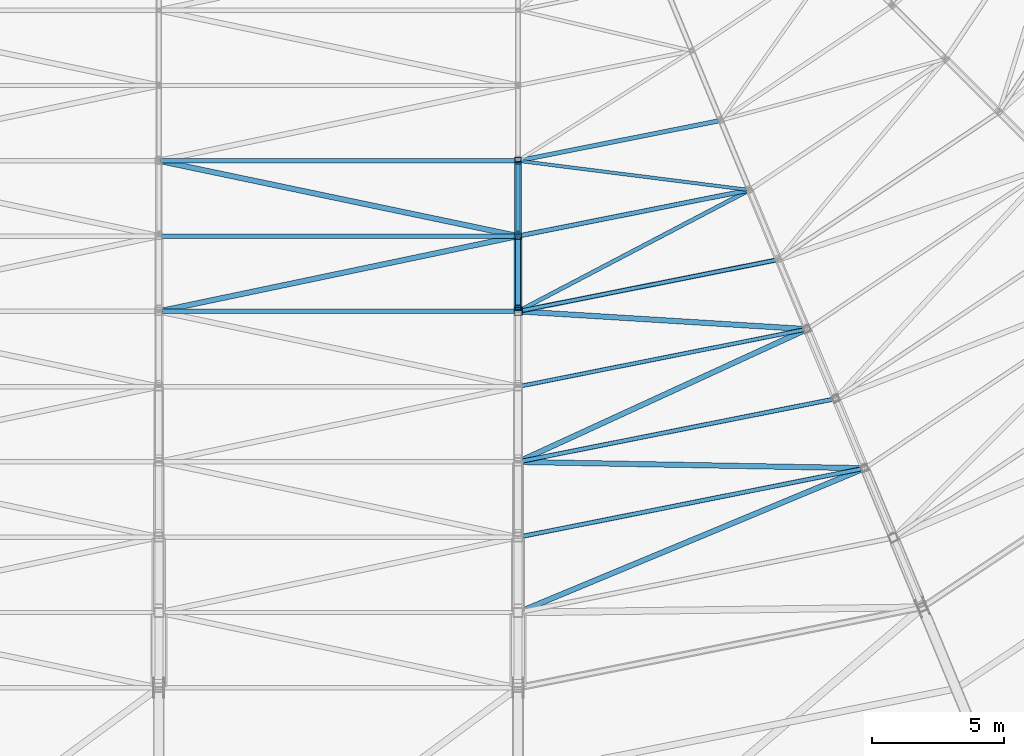
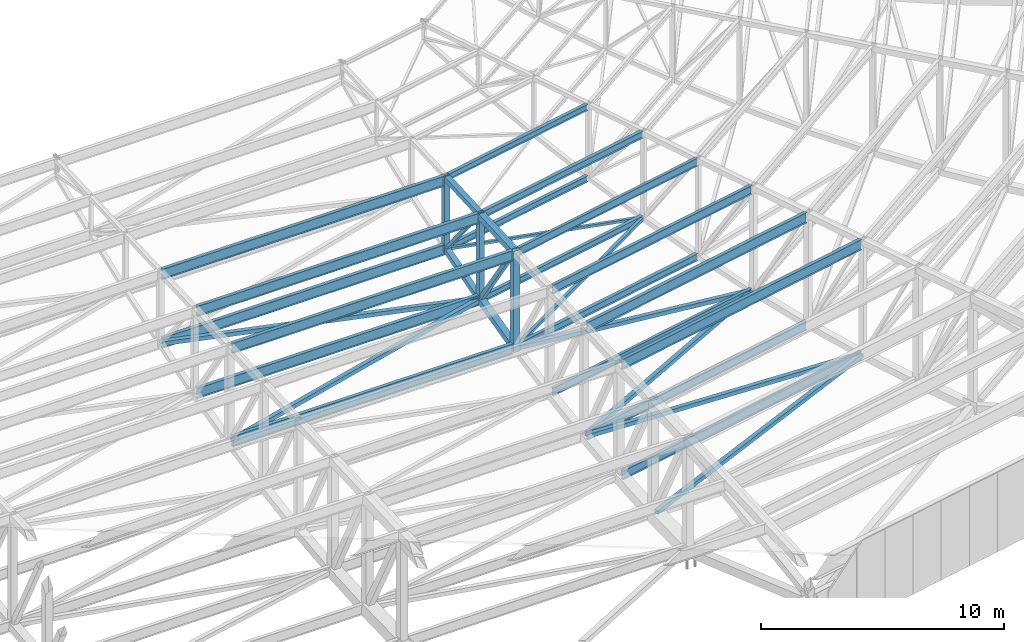
# One storey, part 24 of 278: 28 members, 7 beams.
"""IFC4 building model written with IfcOpenShell, lengths in metres."""

from ifc_helpers import new_model, si_unit, direction, frame, origin, origin_2d, place, context, subcontext, project, spatial, hollow_rectangle, i_section, extrude, material, material_profile, profile_set, type_object, element, save


model = new_model("IFC4")

# Units and contexts
model_context = context("Model", 3, precision=1e-05, world=origin(), true_north=direction((0.0, 1.0)))
body_context = subcontext(model_context, "Body", "Model", "MODEL_VIEW")
ifc_project = project(units=[si_unit("LENGTHUNIT", "METRE"), si_unit("AREAUNIT", "SQUARE_METRE"), si_unit("VOLUMEUNIT", "CUBIC_METRE"), si_unit("PLANEANGLEUNIT", "RADIAN"), si_unit("MASSUNIT", "GRAM", prefix="KILO")], contexts=[model_context])

# Site, building, storey
site_placement = place(None, origin())
site = spatial("IfcSite", under=ifc_project, at=site_placement, CompositionType="ELEMENT")
building_placement = place(site_placement, origin())
building = spatial("IfcBuilding", under=site, at=building_placement, Name="Ogive Plaza Stadium", CompositionType="ELEMENT")
storey_placement = place(building_placement, frame((0.0, 0.0, 29.0)))
storey = spatial("IfcBuildingStorey", under=building, at=storey_placement, Name="Roof", CompositionType="ELEMENT", Elevation=29.0)

# Members
ifc_material_1 = material(Name="Steel ASTM A500 Grade C", Category="steel")
ifc_material_profile_1 = material_profile(ifc_material_1, hollow_rectangle(XDim=0.126953125, YDim=0.126953125, WallThickness=0.005859375, at=origin_2d()), Name="HSS5X5X1/4")
ifc_profile_set_1 = profile_set([ifc_material_profile_1], Name="Steel ASTM A500 Grade C")
member_type_1 = type_object("IfcMemberType", Name="Roof plan brace HSS5X5X1/4", PredefinedType="BRACE", material=ifc_profile_set_1)
member_1_placement = place(storey_placement, frame((34.079833984375, -72.56005859375, 3.242431640625), z_axis=(0.987974166898, -0.124778646777, -0.091309007497), x_axis=(0.125302082787, 0.992118636076, 0.0)))
element("IfcMember", 1, at=member_1_placement, inside=storey, type_object=member_type_1, Name="ROOF BRACE B11 4", PredefinedType="BRACE", context=body_context, shape_type="SweptSolid", body=[
    extrude(hollow_rectangle(XDim=0.126953125, YDim=0.126953125, WallThickness=0.005859375, at=origin_2d()), origin(), (0.0, 0.0, 1.0), 8.665771484375),
])
ifc_material_2 = material(Name="Steel ASTM A500 Grade C", Category="steel")
ifc_material_profile_2 = material_profile(ifc_material_2, hollow_rectangle(XDim=0.15234375, YDim=0.15234375, WallThickness=0.005859375, at=origin_2d()), Name="HSS6X6X1/4")
ifc_profile_set_2 = profile_set([ifc_material_profile_2], Name="Steel ASTM A500 Grade C")
member_type_2 = type_object("IfcMemberType", Name="Roof plan brace HSS6X6X1/4", PredefinedType="BRACE", material=ifc_profile_set_2)
member_2_placement = place(storey_placement, frame((42.693603515625, -73.693359375, 2.434326171875), z_axis=(-0.883462841824, -0.463053945364, -0.071235179498), x_axis=(0.464233307962, -0.885712953377, 0.0)))
element("IfcMember", 2, at=member_2_placement, inside=storey, type_object=member_type_2, Name="ROOF BRACE B11 5", PredefinedType="BRACE", context=body_context, shape_type="SweptSolid", body=[
    extrude(hollow_rectangle(XDim=0.15234375, YDim=0.15234375, WallThickness=0.005859375, at=origin_2d()), origin(), (0.0, 0.0, 1.0), 9.657958984375),
])
ifc_material_3 = material(Name="Steel ASTM A500 Grade C", Category="steel")
ifc_material_profile_3 = material_profile(ifc_material_3, hollow_rectangle(XDim=0.203125, YDim=0.203125, WallThickness=0.0087890625, at=origin_2d()), Name="HSS8X8X3/8")
ifc_profile_set_3 = profile_set([ifc_material_profile_3], Name="Steel ASTM A500 Grade C")
member_type_3 = type_object("IfcMemberType", Name="Roof plan brace HSS8X8X3/8", PredefinedType="BRACE", material=ifc_profile_set_3)
member_3_placement = place(storey_placement, frame((34.128662109375, -78.2578125, 1.726806640625), z_axis=(0.996847879298, -0.061302318892, -0.050362001921), x_axis=(0.061380208582, 0.998114457362, 0.0)))
element("IfcMember", 3, at=member_3_placement, inside=storey, type_object=member_type_3, Name="ROOF BRACE B11 6", PredefinedType="BRACE", context=body_context, shape_type="SweptSolid", body=[
    extrude(hollow_rectangle(XDim=0.203125, YDim=0.203125, WallThickness=0.0087890625, at=origin_2d()), origin(), (0.0, 0.0, 1.0), 10.689208984375),
])
member_4_placement = place(storey_placement, frame((44.85302734375, -78.965087890625, 1.176513671875), z_axis=(-0.908096456975, -0.417096122157, -0.037304821551), x_axis=(0.417386651277, -0.908728993339, 0.0)))
element("IfcMember", 4, at=member_4_placement, inside=storey, type_object=member_type_3, Name="ROOF BRACE B11 7", PredefinedType="BRACE", context=body_context, shape_type="SweptSolid", body=[
    extrude(hollow_rectangle(XDim=0.203125, YDim=0.203125, WallThickness=0.0087890625, at=origin_2d()), origin(), (0.0, 0.0, 1.0), 11.76708984375),
])
member_5_placement = place(storey_placement, frame((34.124267578125, -83.9521484375, 0.727783203125), z_axis=(0.999580346119, -0.018213899904, -0.022525219276), x_axis=(0.018218522397, 0.999834028948, 0.0)))
element("IfcMember", 5, at=member_5_placement, inside=storey, type_object=member_type_3, Name="ROOF BRACE B11 8", PredefinedType="BRACE", context=body_context, shape_type="SweptSolid", body=[
    extrude(hollow_rectangle(XDim=0.203125, YDim=0.203125, WallThickness=0.0087890625, at=origin_2d()), origin(), (0.0, 0.0, 1.0), 12.8544921875),
])
member_6_placement = place(storey_placement, frame((47.036376953125, -84.226318359375, 0.43359375), z_axis=(-0.923217338495, -0.384097852451, -0.011772240396), x_axis=(0.384124470442, -0.92328131748, 0.0)))
element("IfcMember", 6, at=member_6_placement, inside=storey, type_object=member_type_3, Name="ROOF BRACE B11 9", PredefinedType="BRACE", context=body_context, shape_type="SweptSolid", body=[
    extrude(hollow_rectangle(XDim=0.203125, YDim=0.203125, WallThickness=0.0087890625, at=origin_2d()), origin(), (0.0, 0.0, 1.0), 13.91552734375),
])
member_7_placement = place(storey_placement, frame((20.4931640625, -72.569580078125, 3.269775390625), z_axis=(0.977081723689, -0.204756162013, -0.058191230868), x_axis=(0.205103719581, 0.978740243483, 0.0)))
element("IfcMember", 7, at=member_7_placement, inside=storey, type_object=member_type_3, Name="ROOF BRACE B12 4", PredefinedType="BRACE", context=body_context, shape_type="SweptSolid", body=[
    extrude(hollow_rectangle(XDim=0.203125, YDim=0.203125, WallThickness=0.0087890625, at=origin_2d()), origin(), (0.0, 0.0, 1.0), 13.702392578125),
])
member_8_placement = place(storey_placement, frame((33.881591796875, -75.4248046875, 2.459228515625), z_axis=(-0.977474612888, -0.204849020574, -0.05079625901), x_axis=(0.205113814972, -0.97873812785, 0.0)))
element("IfcMember", 8, at=member_8_placement, inside=storey, type_object=member_type_3, Name="ROOF BRACE B12 5", PredefinedType="BRACE", context=body_context, shape_type="SweptSolid", body=[
    extrude(hollow_rectangle(XDim=0.203125, YDim=0.203125, WallThickness=0.0087890625, at=origin_2d()), origin(), (0.0, 0.0, 1.0), 13.64501953125),
])
ifc_material_4 = material(Name="Steel ASTM A992 Grade 50", Category="steel")
ifc_material_profile_4 = material_profile(ifc_material_4, i_section(OverallWidth=0.164794921875, OverallDepth=0.310302734375, WebThickness=0.005859375, FlangeThickness=0.009765625, at=origin_2d()), Name="W12X26")
ifc_profile_set_4 = profile_set([ifc_material_profile_4], Name="Steel ASTM A992 Grade 50")
member_type_4 = type_object("IfcMemberType", Name="Roof plan strut W12X26", PredefinedType="STRUT", material=ifc_profile_set_4)
member_9_placement = place(storey_placement, frame((41.58447265625, -71.041259765625, 3.249755859375), z_axis=(-0.9807828615, -0.195102482268, 0.0), x_axis=(0.195102482268, -0.9807828615, 0.0)))
element("IfcMember", 9, at=member_9_placement, inside=storey, type_object=member_type_4, Name="ROOF STRUT B11 3", PredefinedType="STRUT", context=body_context, shape_type="SweptSolid", body=[
    extrude(i_section(OverallWidth=0.164794921875, OverallDepth=0.310302734375, WebThickness=0.005859375, FlangeThickness=0.009765625, at=origin_2d()), origin(), (0.0, 0.0, 1.0), 7.643310546875),
])
member_10_placement = place(storey_placement, frame((42.67529296875, -73.67431640625, 2.43994140625), z_axis=(-0.980782384623, -0.195104879523, 0.0), x_axis=(0.195104879523, -0.980782384623, 0.0)))
element("IfcMember", 10, at=member_10_placement, inside=storey, type_object=member_type_4, Name="ROOF STRUT B11 4", PredefinedType="STRUT", context=body_context, shape_type="SweptSolid", body=[
    extrude(i_section(OverallWidth=0.164794921875, OverallDepth=0.310302734375, WebThickness=0.005859375, FlangeThickness=0.009765625, at=origin_2d()), origin(), (0.0, 0.0, 1.0), 8.729248046875),
])
ifc_material_5 = material(Name="Steel ASTM A992 Grade 50", Category="steel")
ifc_material_profile_5 = material_profile(ifc_material_5, i_section(OverallWidth=0.17138671875, OverallDepth=0.35498046875, WebThickness=0.00732421875, FlangeThickness=0.011474609375, at=origin_2d()), Name="W14X34")
ifc_profile_set_5 = profile_set([ifc_material_profile_5], Name="Steel ASTM A992 Grade 50")
member_type_5 = type_object("IfcMemberType", Name="Roof plan strut W14X34", PredefinedType="STRUT", material=ifc_profile_set_5)
member_11_placement = place(storey_placement, frame((43.76513671875, -76.3076171875, 1.733154296875), z_axis=(-0.980786798777, -0.19508268848, 0.0), x_axis=(0.19508268848, -0.980786798777, 0.0)))
element("IfcMember", 11, at=member_11_placement, inside=storey, type_object=member_type_5, Name="ROOF STRUT B11 5", PredefinedType="STRUT", context=body_context, shape_type="SweptSolid", body=[
    extrude(i_section(OverallWidth=0.17138671875, OverallDepth=0.35498046875, WebThickness=0.00732421875, FlangeThickness=0.011474609375, at=origin_2d()), origin(), (0.0, 0.0, 1.0), 9.81396484375),
])
ifc_material_6 = material(Name="Steel ASTM A992 Grade 50", Category="steel")
ifc_material_profile_6 = material_profile(ifc_material_6, i_section(OverallWidth=0.140380859375, OverallDepth=0.4033203125, WebThickness=0.007080078125, FlangeThickness=0.01123046875, at=origin_2d()), Name="W16X31")
ifc_profile_set_6 = profile_set([ifc_material_profile_6], Name="Steel ASTM A992 Grade 50")
member_type_6 = type_object("IfcMemberType", Name="Roof plan strut W16X31", PredefinedType="STRUT", material=ifc_profile_set_6)
member_12_placement = place(storey_placement, frame((44.83349609375, -78.945068359375, 1.180419921875), z_axis=(-0.980785907738, -0.195087168164, 0.0), x_axis=(0.195087168164, -0.980785907738, 0.0)))
element("IfcMember", 12, at=member_12_placement, inside=storey, type_object=member_type_6, Name="ROOF STRUT B11 6", PredefinedType="STRUT", context=body_context, shape_type="SweptSolid", body=[
    extrude(i_section(OverallWidth=0.140380859375, OverallDepth=0.4033203125, WebThickness=0.007080078125, FlangeThickness=0.01123046875, at=origin_2d()), origin(), (0.0, 0.0, 1.0), 10.90625),
])
ifc_material_7 = material(Name="Steel ASTM A992 Grade 50", Category="steel")
ifc_material_profile_7 = material_profile(ifc_material_7, i_section(OverallWidth=0.15234375, OverallDepth=0.449462890625, WebThickness=0.007568359375, FlangeThickness=0.0107421875, at=origin_2d()), Name="W18X35")
ifc_profile_set_7 = profile_set([ifc_material_profile_7], Name="Steel ASTM A992 Grade 50")
member_type_7 = type_object("IfcMemberType", Name="Roof plan strut W18X35", PredefinedType="STRUT", material=ifc_profile_set_7)
member_13_placement = place(storey_placement, frame((45.9228515625, -81.578369140625, 0.730712890625), z_axis=(-0.980784109733, -0.195096207281, 0.0), x_axis=(0.195096207281, -0.980784109733, 0.0)))
element("IfcMember", 13, at=member_13_placement, inside=storey, type_object=member_type_7, Name="ROOF STRUT B11 7", PredefinedType="STRUT", context=body_context, shape_type="SweptSolid", body=[
    extrude(i_section(OverallWidth=0.15234375, OverallDepth=0.449462890625, WebThickness=0.007568359375, FlangeThickness=0.0107421875, at=origin_2d()), origin(), (0.0, 0.0, 1.0), 12.015869140625),
])
member_14_placement = place(storey_placement, frame((47.013671875, -84.21142578125, 0.434814453125), z_axis=(-0.980784397803, -0.195094759096, 0.0), x_axis=(0.195094759096, -0.980784397803, 0.0)))
element("IfcMember", 14, at=member_14_placement, inside=storey, type_object=member_type_7, Name="ROOF STRUT B11 8", PredefinedType="STRUT", context=body_context, shape_type="SweptSolid", body=[
    extrude(i_section(OverallWidth=0.15234375, OverallDepth=0.449462890625, WebThickness=0.007568359375, FlangeThickness=0.0107421875, at=origin_2d()), origin(), (0.0, 0.0, 1.0), 13.10205078125),
])
ifc_material_8 = material(Name="Steel ASTM A992 Grade 50", Category="steel")
ifc_material_profile_8 = material_profile(ifc_material_8, i_section(OverallWidth=0.1650390625, OverallDepth=0.524658203125, WebThickness=0.0087890625, FlangeThickness=0.011474609375, at=origin_2d()), Name="W21X44")
ifc_profile_set_8 = profile_set([ifc_material_profile_8], Name="Steel ASTM A992 Grade 50")
member_type_8 = type_object("IfcMemberType", Name="Roof plan strut W21X44", PredefinedType="STRUT", material=ifc_profile_set_8)
member_15_placement = place(storey_placement, frame((33.928466796875, -72.550048828125, 3.275146484375), z_axis=(-1.0, 0.0, 0.0), x_axis=(0.0, -1.0, 0.0)))
element("IfcMember", 15, at=member_15_placement, inside=storey, type_object=member_type_8, Name="ROOF STRUT B12 3", PredefinedType="STRUT", context=body_context, shape_type="SweptSolid", body=[
    extrude(i_section(OverallWidth=0.1650390625, OverallDepth=0.524658203125, WebThickness=0.0087890625, FlangeThickness=0.011474609375, at=origin_2d()), origin(), (0.0, 0.0, 1.0), 13.456787109375),
])
member_16_placement = place(storey_placement, frame((33.903076171875, -75.39990234375, 2.46533203125), z_axis=(-1.0, 0.0, 0.0), x_axis=(0.0, -1.0, 0.0)))
element("IfcMember", 16, at=member_16_placement, inside=storey, type_object=member_type_8, Name="ROOF STRUT B12 4", PredefinedType="STRUT", context=body_context, shape_type="SweptSolid", body=[
    extrude(i_section(OverallWidth=0.1650390625, OverallDepth=0.524658203125, WebThickness=0.0087890625, FlangeThickness=0.011474609375, at=origin_2d()), origin(), (0.0, 0.0, 1.0), 13.406005859375),
])
member_17_placement = place(storey_placement, frame((33.877685546875, -78.25, 1.758544921875), z_axis=(-1.0, 0.0, 0.0), x_axis=(0.0, -1.0, 0.0)))
element("IfcMember", 17, at=member_17_placement, inside=storey, type_object=member_type_8, Name="ROOF STRUT B12 5", PredefinedType="STRUT", context=body_context, shape_type="SweptSolid", body=[
    extrude(i_section(OverallWidth=0.1650390625, OverallDepth=0.524658203125, WebThickness=0.0087890625, FlangeThickness=0.011474609375, at=origin_2d()), origin(), (0.0, 0.0, 1.0), 13.355224609375),
])
ifc_material_9 = material(Name="Steel ASTM A992 Grade 50", Category="steel")
ifc_material_profile_9 = material_profile(ifc_material_9, i_section(OverallWidth=0.164794921875, OverallDepth=0.310302734375, WebThickness=0.005859375, FlangeThickness=0.009765625, at=origin_2d()), Name="W12X26")
ifc_profile_set_9 = profile_set([ifc_material_profile_9], Name="Steel ASTM A992 Grade 50")
member_type_9 = type_object("IfcMemberType", Name="Roof purlin W12X26", PredefinedType="PURLIN", material=ifc_profile_set_9)
member_18_placement = place(storey_placement, frame((41.58447265625, -71.041259765625, 6.84228515625), z_axis=(-0.9807828615, -0.195102482268, 0.0), x_axis=(0.195102482268, -0.9807828615, 0.0)))
element("IfcMember", 18, at=member_18_placement, inside=storey, type_object=member_type_9, Name="ROOF PURLIN B11 3", PredefinedType="PURLIN", context=body_context, shape_type="SweptSolid", body=[
    extrude(i_section(OverallWidth=0.164794921875, OverallDepth=0.310302734375, WebThickness=0.005859375, FlangeThickness=0.009765625, at=origin_2d()), origin(), (0.0, 0.0, 1.0), 7.643310546875),
])
ifc_material_10 = material(Name="Steel ASTM A992 Grade 50", Category="steel")
ifc_material_profile_10 = material_profile(ifc_material_10, i_section(OverallWidth=0.17138671875, OverallDepth=0.35498046875, WebThickness=0.00732421875, FlangeThickness=0.011474609375, at=origin_2d()), Name="W14X34")
ifc_profile_set_10 = profile_set([ifc_material_profile_10], Name="Steel ASTM A992 Grade 50")
member_type_10 = type_object("IfcMemberType", Name="Roof purlin W14X34", PredefinedType="PURLIN", material=ifc_profile_set_10)
member_19_placement = place(storey_placement, frame((42.674560546875, -73.674560546875, 6.677490234375), z_axis=(-0.980787765569, -0.195077827826, 0.0), x_axis=(0.195077827826, -0.980787765569, 0.0)))
element("IfcMember", 19, at=member_19_placement, inside=storey, type_object=member_type_10, Name="ROOF PURLIN B11 4", PredefinedType="PURLIN", context=body_context, shape_type="SweptSolid", body=[
    extrude(i_section(OverallWidth=0.17138671875, OverallDepth=0.35498046875, WebThickness=0.00732421875, FlangeThickness=0.011474609375, at=origin_2d()), origin(), (0.0, 0.0, 1.0), 8.72802734375),
])
ifc_material_11 = material(Name="Steel ASTM A992 Grade 50", Category="steel")
ifc_material_profile_11 = material_profile(ifc_material_11, i_section(OverallWidth=0.140380859375, OverallDepth=0.4033203125, WebThickness=0.007080078125, FlangeThickness=0.01123046875, at=origin_2d()), Name="W16X31")
ifc_profile_set_11 = profile_set([ifc_material_profile_11], Name="Steel ASTM A992 Grade 50")
member_type_11 = type_object("IfcMemberType", Name="Roof purlin W16X31", PredefinedType="PURLIN", material=ifc_profile_set_11)
member_20_placement = place(storey_placement, frame((43.768310546875, -76.306884765625, 6.5107421875), z_axis=(-0.980781911446, -0.195107258144, 0.0), x_axis=(0.195107258144, -0.980781911446, 0.0)))
element("IfcMember", 20, at=member_20_placement, inside=storey, type_object=member_type_11, Name="ROOF PURLIN B11 5", PredefinedType="PURLIN", context=body_context, shape_type="SweptSolid", body=[
    extrude(i_section(OverallWidth=0.140380859375, OverallDepth=0.4033203125, WebThickness=0.007080078125, FlangeThickness=0.01123046875, at=origin_2d()), origin(), (0.0, 0.0, 1.0), 9.8203125),
])
ifc_material_12 = material(Name="Steel ASTM A992 Grade 50", Category="steel")
ifc_material_profile_12 = material_profile(ifc_material_12, i_section(OverallWidth=0.15234375, OverallDepth=0.449462890625, WebThickness=0.007568359375, FlangeThickness=0.0107421875, at=origin_2d()), Name="W18X35")
ifc_profile_set_12 = profile_set([ifc_material_profile_12], Name="Steel ASTM A992 Grade 50")
member_type_12 = type_object("IfcMemberType", Name="Roof purlin W18X35", PredefinedType="PURLIN", material=ifc_profile_set_12)
member_21_placement = place(storey_placement, frame((44.832275390625, -78.9453125, 6.34521484375), z_axis=(-0.980785954477, -0.195086933188, 0.0), x_axis=(0.195086933188, -0.980785954477, 0.0)))
element("IfcMember", 21, at=member_21_placement, inside=storey, type_object=member_type_12, Name="ROOF PURLIN B11 6", PredefinedType="PURLIN", context=body_context, shape_type="SweptSolid", body=[
    extrude(i_section(OverallWidth=0.15234375, OverallDepth=0.449462890625, WebThickness=0.007568359375, FlangeThickness=0.0107421875, at=origin_2d()), origin(), (0.0, 0.0, 1.0), 10.90380859375),
])
ifc_material_13 = material(Name="Steel ASTM A992 Grade 50", Category="steel")
ifc_material_profile_13 = material_profile(ifc_material_13, i_section(OverallWidth=0.1650390625, OverallDepth=0.524658203125, WebThickness=0.0087890625, FlangeThickness=0.011474609375, at=origin_2d()), Name="W21X44")
ifc_profile_set_13 = profile_set([ifc_material_profile_13], Name="Steel ASTM A992 Grade 50")
member_type_13 = type_object("IfcMemberType", Name="Roof purlin W21X44", PredefinedType="PURLIN", material=ifc_profile_set_13)
member_22_placement = place(storey_placement, frame((45.921630859375, -81.57861328125, 6.1650390625), z_axis=(-0.980784151785, -0.195095995879, 0.0), x_axis=(0.195095995879, -0.980784151785, 0.0)))
element("IfcMember", 22, at=member_22_placement, inside=storey, type_object=member_type_13, Name="ROOF PURLIN B11 7", PredefinedType="PURLIN", context=body_context, shape_type="SweptSolid", body=[
    extrude(i_section(OverallWidth=0.1650390625, OverallDepth=0.524658203125, WebThickness=0.0087890625, FlangeThickness=0.011474609375, at=origin_2d()), origin(), (0.0, 0.0, 1.0), 12.013427734375),
])
member_23_placement = place(storey_placement, frame((47.012451171875, -84.211669921875, 6.022705078125), z_axis=(-0.980784436422, -0.195094564949, 0.0), x_axis=(0.195094564949, -0.980784436422, 0.0)))
element("IfcMember", 23, at=member_23_placement, inside=storey, type_object=member_type_13, Name="ROOF PURLIN B11 8", PredefinedType="PURLIN", context=body_context, shape_type="SweptSolid", body=[
    extrude(i_section(OverallWidth=0.1650390625, OverallDepth=0.524658203125, WebThickness=0.0087890625, FlangeThickness=0.011474609375, at=origin_2d()), origin(), (0.0, 0.0, 1.0), 13.099609375),
])
member_24_placement = place(storey_placement, frame((33.928466796875, -72.550048828125, 6.735107421875), z_axis=(-1.0, 0.0, 0.0), x_axis=(0.0, -1.0, 0.0)))
element("IfcMember", 24, at=member_24_placement, inside=storey, type_object=member_type_13, Name="ROOF PURLIN B12 3", PredefinedType="PURLIN", context=body_context, shape_type="SweptSolid", body=[
    extrude(i_section(OverallWidth=0.1650390625, OverallDepth=0.524658203125, WebThickness=0.0087890625, FlangeThickness=0.011474609375, at=origin_2d()), origin(), (0.0, 0.0, 1.0), 13.456787109375),
])
member_25_placement = place(storey_placement, frame((33.903076171875, -75.39990234375, 6.592529296875), z_axis=(-1.0, 0.0, 0.0), x_axis=(0.0, -1.0, 0.0)))
element("IfcMember", 25, at=member_25_placement, inside=storey, type_object=member_type_13, Name="ROOF PURLIN B12 4", PredefinedType="PURLIN", context=body_context, shape_type="SweptSolid", body=[
    extrude(i_section(OverallWidth=0.1650390625, OverallDepth=0.524658203125, WebThickness=0.0087890625, FlangeThickness=0.011474609375, at=origin_2d()), origin(), (0.0, 0.0, 1.0), 13.406005859375),
])
member_26_placement = place(storey_placement, frame((33.877685546875, -78.25, 6.4501953125), z_axis=(-1.0, 0.0, 0.0), x_axis=(0.0, -1.0, 0.0)))
element("IfcMember", 26, at=member_26_placement, inside=storey, type_object=member_type_13, Name="ROOF PURLIN B12 5", PredefinedType="PURLIN", context=body_context, shape_type="SweptSolid", body=[
    extrude(i_section(OverallWidth=0.1650390625, OverallDepth=0.524658203125, WebThickness=0.0087890625, FlangeThickness=0.011474609375, at=origin_2d()), origin(), (0.0, 0.0, 1.0), 13.355224609375),
])

# Beams
ifc_material_14 = material(Name="Steel ASTM A500 Grade C", Category="steel")
ifc_material_profile_14 = material_profile(ifc_material_14, hollow_rectangle(XDim=0.25390625, YDim=0.25390625, WallThickness=0.01171875, at=origin_2d()), Name="HSS10X10X1/2")
ifc_profile_set_14 = profile_set([ifc_material_profile_14], Name="Steel ASTM A500 Grade C")
beam_type_1 = type_object("IfcBeamType", Name="Roof truss bottom chord HSS10X10X1/2", PredefinedType="BEAM", material=ifc_profile_set_14)
beam_1_placement = place(storey_placement, frame((34.0, -72.60009765625, 3.265869140625), z_axis=(0.0, -0.959640437259, -0.281229854705), x_axis=(1.0, 0.0, 0.0)))
element("IfcBeam", 27, at=beam_1_placement, inside=storey, type_object=beam_type_1, Name="ROOF TRUSS T12 BOTTOM CHORD 4", PredefinedType="BEAM", context=body_context, shape_type="SweptSolid", body=[
    extrude(hollow_rectangle(XDim=0.25390625, YDim=0.25390625, WallThickness=0.01171875, at=origin_2d()), origin(), (0.0, 0.0, 1.0), 2.86572265625),
])
ifc_material_15 = material(Name="Steel ASTM A500 Grade C", Category="steel")
ifc_material_profile_15 = material_profile(ifc_material_15, hollow_rectangle(XDim=0.3046875, YDim=0.3046875, WallThickness=0.0146484375, at=origin_2d()), Name="HSS12X12X5/8")
ifc_profile_set_15 = profile_set([ifc_material_profile_15], Name="Steel ASTM A500 Grade C")
beam_type_2 = type_object("IfcBeamType", Name="Roof truss bottom chord HSS12X12X5/8", PredefinedType="BEAM", material=ifc_profile_set_15)
beam_2_placement = place(storey_placement, frame((34.0, -75.449951171875, 2.45751953125), z_axis=(0.0, -0.970607032995, -0.240669872439), x_axis=(1.0, 0.0, 0.0)))
element("IfcBeam", 28, at=beam_2_placement, inside=storey, type_object=beam_type_2, Name="ROOF TRUSS T12 BOTTOM CHORD 5", PredefinedType="BEAM", context=body_context, shape_type="SweptSolid", body=[
    extrude(hollow_rectangle(XDim=0.3046875, YDim=0.3046875, WallThickness=0.0146484375, at=origin_2d()), origin(), (0.0, 0.0, 1.0), 2.833251953125),
])

# Members
ifc_material_16 = material(Name="Steel ASTM A500 Grade C", Category="steel")
ifc_material_profile_16 = material_profile(ifc_material_16, hollow_rectangle(XDim=0.15234375, YDim=0.15234375, WallThickness=0.0087890625, at=origin_2d()), Name="HSS6X6X3/8")
ifc_profile_set_16 = profile_set([ifc_material_profile_16], Name="Steel ASTM A500 Grade C")
member_type_14 = type_object("IfcMemberType", Name="Roof truss diagonal HSS6X6X3/8", PredefinedType="BRACE", material=ifc_profile_set_16)
member_27_placement = place(storey_placement, frame((34.0, -72.677001953125, 3.40234375), z_axis=(0.0, -0.630150764463, 0.77647280316), x_axis=(1.0, 0.0, 0.0)))
element("IfcMember", 29, at=member_27_placement, inside=storey, type_object=member_type_14, Name="ROOF TRUSS T12 DIAGONAL 4", PredefinedType="BRACE", context=body_context, shape_type="SweptSolid", body=[
    extrude(hollow_rectangle(XDim=0.15234375, YDim=0.15234375, WallThickness=0.0087890625, at=origin_2d()), origin(), (0.0, 0.0, 1.0), 4.11962890625),
])
ifc_material_17 = material(Name="Steel ASTM A500 Grade C", Category="steel")
ifc_material_profile_17 = material_profile(ifc_material_17, hollow_rectangle(XDim=0.203125, YDim=0.203125, WallThickness=0.0087890625, at=origin_2d()), Name="HSS8X8X3/8")
ifc_profile_set_17 = profile_set([ifc_material_profile_17], Name="Steel ASTM A500 Grade C")
member_type_15 = type_object("IfcMemberType", Name="Roof truss diagonal HSS8X8X3/8", PredefinedType="BRACE", material=ifc_profile_set_17)
member_28_placement = place(storey_placement, frame((34.0, -75.527099609375, 2.617919921875), z_axis=(0.0, -0.561338440243, 0.827586343233), x_axis=(1.0, 0.0, 0.0)))
element("IfcMember", 30, at=member_28_placement, inside=storey, type_object=member_type_15, Name="ROOF TRUSS T12 DIAGONAL 5", PredefinedType="BRACE", context=body_context, shape_type="SweptSolid", body=[
    extrude(hollow_rectangle(XDim=0.203125, YDim=0.203125, WallThickness=0.0087890625, at=origin_2d()), origin(), (0.0, 0.0, 1.0), 4.579345703125),
])

# Beams
ifc_material_18 = material(Name="Steel ASTM A500 Grade C", Category="steel")
ifc_material_profile_18 = material_profile(ifc_material_18, hollow_rectangle(XDim=0.25390625, YDim=0.25390625, WallThickness=0.01171875, at=origin_2d()), Name="HSS10X10X1/2")
ifc_profile_set_18 = profile_set([ifc_material_profile_18], Name="Steel ASTM A500 Grade C")
beam_type_3 = type_object("IfcBeamType", Name="Roof truss post HSS10X10X1/2", PredefinedType="BEAM", material=ifc_profile_set_18)
beam_3_placement = place(storey_placement, frame((34.0, -72.550048828125, 3.148193359375), z_axis=(0.0, 0.0, 1.0), x_axis=(1.0, 0.0, 0.0)))
element("IfcBeam", 31, at=beam_3_placement, inside=storey, type_object=beam_type_3, Name="ROOF TRUSS T12 POST 4", PredefinedType="BEAM", context=body_context, shape_type="SweptSolid", body=[
    extrude(hollow_rectangle(XDim=0.25390625, YDim=0.25390625, WallThickness=0.01171875, at=origin_2d()), origin(), (0.0, 0.0, 1.0), 3.849365234375),
])
beam_4_placement = place(storey_placement, frame((34.0, -75.39990234375, 2.31298828125), z_axis=(0.0, 0.0, 1.0), x_axis=(1.0, 0.0, 0.0)))
element("IfcBeam", 32, at=beam_4_placement, inside=storey, type_object=beam_type_3, Name="ROOF TRUSS T12 POST 5", PredefinedType="BEAM", context=body_context, shape_type="SweptSolid", body=[
    extrude(hollow_rectangle(XDim=0.25390625, YDim=0.25390625, WallThickness=0.01171875, at=origin_2d()), origin(), (0.0, 0.0, 1.0), 4.5419921875),
])
ifc_material_19 = material(Name="Steel ASTM A500 Grade C", Category="steel")
ifc_material_profile_19 = material_profile(ifc_material_19, hollow_rectangle(XDim=0.3046875, YDim=0.3046875, WallThickness=0.01171875, at=origin_2d()), Name="HSS12X12X1/2")
ifc_profile_set_19 = profile_set([ifc_material_profile_19], Name="Steel ASTM A500 Grade C")
beam_type_4 = type_object("IfcBeamType", Name="Roof truss post HSS12X12X1/2", PredefinedType="BEAM", material=ifc_profile_set_19)
beam_5_placement = place(storey_placement, frame((34.0, -78.25, 1.606201171875), z_axis=(0.0, 0.0, 1.0), x_axis=(1.0, 0.0, 0.0)))
element("IfcBeam", 33, at=beam_5_placement, inside=storey, type_object=beam_type_4, Name="ROOF TRUSS T12 POST 6", PredefinedType="BEAM", context=body_context, shape_type="SweptSolid", body=[
    extrude(hollow_rectangle(XDim=0.3046875, YDim=0.3046875, WallThickness=0.01171875, at=origin_2d()), origin(), (0.0, 0.0, 1.0), 5.106201171875),
])
ifc_material_20 = material(Name="Steel ASTM A500 Grade C", Category="steel")
ifc_material_profile_20 = material_profile(ifc_material_20, hollow_rectangle(XDim=0.25390625, YDim=0.25390625, WallThickness=0.0087890625, at=origin_2d()), Name="HSS10X10X3/8")
ifc_profile_set_20 = profile_set([ifc_material_profile_20], Name="Steel ASTM A500 Grade C")
beam_type_5 = type_object("IfcBeamType", Name="Roof truss top chord HSS10X10X3/8", PredefinedType="BEAM", material=ifc_profile_set_20)
beam_6_placement = place(storey_placement, frame((34.0, -72.60009765625, 6.867919921875), z_axis=(0.0, -0.998748798523, -0.05000837379), x_axis=(1.0, 0.0, 0.0)))
element("IfcBeam", 34, at=beam_6_placement, inside=storey, type_object=beam_type_5, Name="ROOF TRUSS T12 TOP CHORD 4", PredefinedType="BEAM", context=body_context, shape_type="SweptSolid", body=[
    extrude(hollow_rectangle(XDim=0.25390625, YDim=0.25390625, WallThickness=0.0087890625, at=origin_2d()), origin(), (0.0, 0.0, 1.0), 2.75341796875),
])
ifc_material_21 = material(Name="Steel ASTM A500 Grade C", Category="steel")
ifc_material_profile_21 = material_profile(ifc_material_21, hollow_rectangle(XDim=0.3046875, YDim=0.3046875, WallThickness=0.0087890625, at=origin_2d()), Name="HSS12X12X3/8")
ifc_profile_set_21 = profile_set([ifc_material_profile_21], Name="Steel ASTM A500 Grade C")
beam_type_6 = type_object("IfcBeamType", Name="Roof truss top chord HSS12X12X3/8", PredefinedType="BEAM", material=ifc_profile_set_21)
beam_7_placement = place(storey_placement, frame((34.0, -75.449951171875, 6.699951171875), z_axis=(0.0, -0.998753223187, -0.049919927615), x_axis=(1.0, 0.0, 0.0)))
element("IfcBeam", 35, at=beam_7_placement, inside=storey, type_object=beam_type_6, Name="ROOF TRUSS T12 TOP CHORD 5", PredefinedType="BEAM", context=body_context, shape_type="SweptSolid", body=[
    extrude(hollow_rectangle(XDim=0.3046875, YDim=0.3046875, WallThickness=0.0087890625, at=origin_2d()), origin(), (0.0, 0.0, 1.0), 2.75341796875),
])

save(model, "model.ifc")
